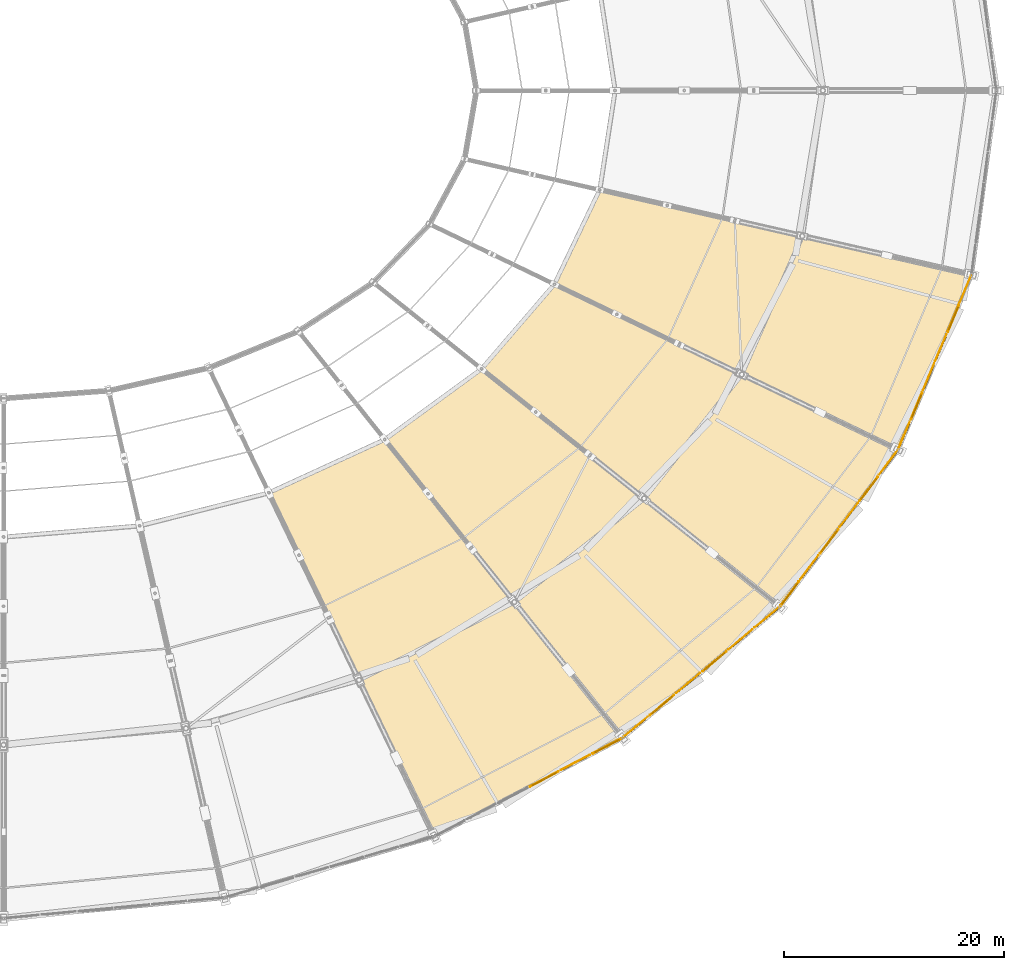
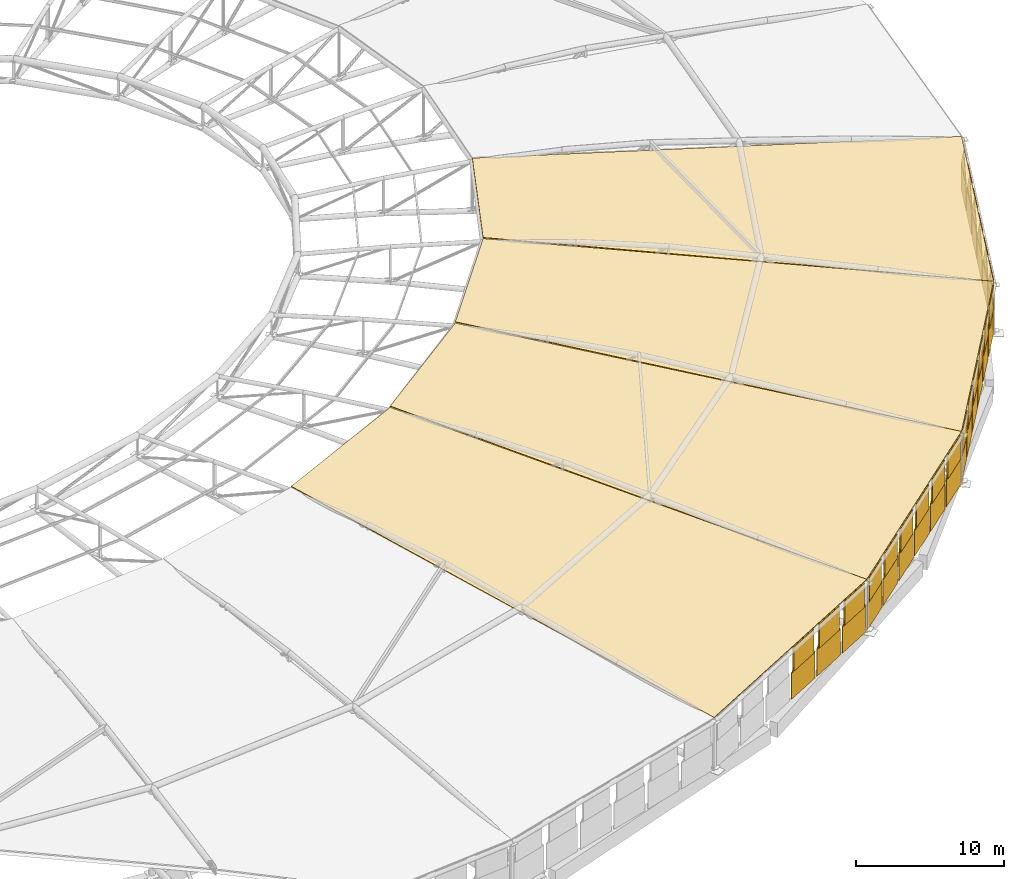
# One storey, part 104 of 108: 46 coverings, 20 shading devices.
"""IFC4 building model written with IfcOpenShell, lengths in metres."""

from ifc_helpers import new_model, si_unit, direction, frame, origin, origin_2d, place, context, subcontext, project, spatial, polyline, rectangle, outline, extrude, material, layer, layer_set, type_object, element, save


model = new_model("IFC4")

# Units and contexts
model_context = context("Model", 3, precision=1e-05, world=origin(), true_north=direction((0.0, 1.0)))
body_context = subcontext(model_context, "Body", "Model", "MODEL_VIEW")
ifc_project = project(units=[si_unit("LENGTHUNIT", "METRE"), si_unit("AREAUNIT", "SQUARE_METRE"), si_unit("VOLUMEUNIT", "CUBIC_METRE"), si_unit("PLANEANGLEUNIT", "RADIAN"), si_unit("MASSUNIT", "GRAM", prefix="KILO")], contexts=[model_context])

# Site, building, storey
site_placement = place(None, origin())
site = spatial("IfcSite", under=ifc_project, at=site_placement, CompositionType="ELEMENT")
building_placement = place(site_placement, origin())
building = spatial("IfcBuilding", under=site, at=building_placement, Name="Zevraka Park Crest Stadium", CompositionType="ELEMENT")
storey_placement = place(building_placement, frame((0.0, 0.0, 29.39990234375)))
storey = spatial("IfcBuildingStorey", under=building, at=storey_placement, Name="RF", CompositionType="ELEMENT", Elevation=29.39990234375)

# Coverings
ifc_material_1 = material(Name="Architectural golden-bronze perforated aluminium", Category="aluminium")
ifc_layer_1 = layer(ifc_material_1, 0.034912109375)
ifc_layer_set_1 = layer_set([ifc_layer_1], Name="Architectural golden-bronze perforated aluminium")
covering_type_1 = type_object("IfcCoveringType", Name="CLD01", PredefinedType="CLADDING", material=ifc_layer_set_1)
covering_1_placement = place(storey_placement, frame((159.85498046875, 28.701904296875, 0.0), z_axis=(0.464265532752, -0.885696062483, 0.0), x_axis=(0.885696062483, 0.464265532752, 0.0)))
element("IfcCovering", 1, at=covering_1_placement, inside=storey, type_object=covering_type_1, Name="Canopy Crown Perforated Bronze Fascia 24-4A", PredefinedType="CLADDING", context=body_context, shape_type="SweptSolid", body=[
    extrude(outline(polyline([(0.0, 0.0), (2.9637706558621093, 0.0), (2.9637706558621093, 2.2001953125), (0.0, 2.2001953125), (0.0, 0.0)])), origin(), (0.0, 0.0, -1.0), 0.044921875),
])
covering_2_placement = place(storey_placement, frame((159.85498046875, 28.701904296875, 2.2001953125), z_axis=(-0.464265529885, 0.885696057014, 0.000111134777), x_axis=(0.885696062483, 0.464265532752, 0.0)))
element("IfcCovering", 2, at=covering_2_placement, inside=storey, type_object=covering_type_1, Name="Canopy Crown Triangular Bronze Screen 24-4B", PredefinedType="CLADDING", context=body_context, shape_type="SweptSolid", body=[
    extrude(outline(polyline([(0.0, 0.0), (2.9637706558621093, 0.0), (1.482317796711564, -2.0397949344716912), (0.0, 0.0)])), origin(), (0.0, 0.0, -1.0), 0.044921875),
])
covering_3_placement = place(storey_placement, frame((162.7080078125, 30.197021484375, 0.0), z_axis=(0.464265532752, -0.885696062483, 0.0), x_axis=(0.885696062483, 0.464265532752, 0.0)))
element("IfcCovering", 3, at=covering_3_placement, inside=storey, type_object=covering_type_1, Name="Canopy Crown Perforated Bronze Fascia 24-5A", PredefinedType="CLADDING", context=body_context, shape_type="SweptSolid", body=[
    extrude(outline(polyline([(0.0, 0.0), (2.9637706558621093, 0.0), (2.9637706558621093, 2.2001953125), (0.0, 2.2001953125), (0.0, 0.0)])), origin(), (0.0, 0.0, -1.0), 0.044921875),
])
covering_4_placement = place(storey_placement, frame((162.7080078125, 30.197021484375, 2.2001953125), z_axis=(0.464265529885, -0.885696057014, 0.000111134777), x_axis=(0.885696062483, 0.464265532752, 0.0)))
element("IfcCovering", 4, at=covering_4_placement, inside=storey, type_object=covering_type_1, Name="Canopy Crown Triangular Bronze Screen 24-5B", PredefinedType="CLADDING", context=body_context, shape_type="SweptSolid", body=[
    extrude(outline(polyline([(0.0, 0.0), (2.9637706558621093, 0.0), (1.4814528591505454, 2.0397949344716912), (0.0, 0.0)])), origin(), (0.0, 0.0, -1.0), 0.044921875),
])
covering_5_placement = place(storey_placement, frame((165.56201171875, 31.693115234375, 0.0), z_axis=(0.464006994671, -0.88583153528, 0.0), x_axis=(0.88583153528, 0.464006994671, 0.0)))
element("IfcCovering", 5, at=covering_5_placement, inside=storey, type_object=covering_type_1, Name="Canopy Crown Perforated Bronze Fascia 24-6A", PredefinedType="CLADDING", context=body_context, shape_type="SweptSolid", body=[
    extrude(outline(polyline([(0.0, 0.0), (2.9633173977824248, 0.0), (2.9633173977824248, 2.2001953125), (0.0, 2.2001953125), (0.0, 0.0)])), origin(), (0.0, 0.0, -1.0), 0.044921875),
])
covering_6_placement = place(storey_placement, frame((165.56201171875, 31.693115234375, 2.2001953125), z_axis=(-0.464006984729, 0.885831516302, 0.000206999471), x_axis=(0.88583153528, 0.464006994671, 0.0)))
element("IfcCovering", 6, at=covering_6_placement, inside=storey, type_object=covering_type_1, Name="Canopy Crown Triangular Bronze Screen 24-6B", PredefinedType="CLADDING", context=body_context, shape_type="SweptSolid", body=[
    extrude(outline(polyline([(0.0, 0.0), (2.963317397782425, 0.0), (1.4808863150888267, -2.0397949655763647), (0.0, 0.0)])), origin(), (0.0, 0.0, -1.0), 0.044921875),
])
covering_7_placement = place(storey_placement, frame((168.39599609375, 33.20703125, 0.0), z_axis=(0.640445053294, -0.768003993291, 0.0), x_axis=(0.768003993291, 0.640445053294, 0.0)))
element("IfcCovering", 7, at=covering_7_placement, inside=storey, type_object=covering_type_1, Name="Canopy Crown Perforated Bronze Fascia 25-1A", PredefinedType="CLADDING", context=body_context, shape_type="SweptSolid", body=[
    extrude(outline(polyline([(0.0, 0.0), (2.855603946767651, 0.0), (2.855603946767651, 2.2001953125), (0.0, 2.2001953125), (0.0, 0.0)])), origin(), (0.0, 0.0, -1.0), 0.044921875),
])
covering_8_placement = place(storey_placement, frame((168.39599609375, 33.20703125, 2.2001953125), z_axis=(0.640444996419, -0.768003925088, 0.000421438935), x_axis=(0.768003993291, 0.640445053294, 0.0)))
element("IfcCovering", 8, at=covering_8_placement, inside=storey, type_object=covering_type_1, Name="Canopy Crown Triangular Bronze Screen 25-1B", PredefinedType="CLADDING", context=body_context, shape_type="SweptSolid", body=[
    extrude(outline(polyline([(0.0, 0.0), (2.855603946767651, 0.0), (1.4277241175854876, 2.0397951030198036), (0.0, 0.0)])), origin(), (0.0, 0.0, -1.0), 0.044921875),
])
covering_9_placement = place(storey_placement, frame((170.779052734375, 35.195068359375, 0.0), z_axis=(0.64028533532, -0.768137155315, 0.0), x_axis=(0.768137155315, 0.64028533532, 0.0)))
element("IfcCovering", 9, at=covering_9_placement, inside=storey, type_object=covering_type_1, Name="Canopy Crown Perforated Bronze Fascia 25-2A", PredefinedType="CLADDING", context=body_context, shape_type="SweptSolid", body=[
    extrude(outline(polyline([(0.0, 0.0), (2.8547910728937436, 0.0), (2.8547910728937436, 2.2001953125), (0.0, 2.2001953125), (0.0, 0.0)])), origin(), (0.0, 0.0, -1.0), 0.044921875),
])
covering_10_placement = place(storey_placement, frame((170.779052734375, 35.195068359375, 2.2001953125), z_axis=(-0.640285322611, 0.768137140069, 0.000199238685), x_axis=(0.768137155315, 0.64028533532, 0.0)))
element("IfcCovering", 10, at=covering_10_placement, inside=storey, type_object=covering_type_1, Name="Canopy Crown Triangular Bronze Screen 25-2B", PredefinedType="CLADDING", context=body_context, shape_type="SweptSolid", body=[
    extrude(outline(polyline([(0.0, 0.0), (2.8547910728937436, 5.421010862427522e-20), (1.4276924435862686, -2.0397949623609057), (0.0, 0.0)])), origin(), (0.0, 0.0, -1.0), 0.044921875),
])
covering_11_placement = place(storey_placement, frame((173.162109375, 37.181884765625, 0.0), z_axis=(0.640335790713, -0.76809509511, 0.0), x_axis=(0.76809509511, 0.640335790713, 0.0)))
element("IfcCovering", 11, at=covering_11_placement, inside=storey, type_object=covering_type_1, Name="Canopy Crown Perforated Bronze Fascia 25-3A", PredefinedType="CLADDING", context=body_context, shape_type="SweptSolid", body=[
    extrude(outline(polyline([(0.0, 0.0), (2.8549473987149607, 0.0), (2.8549473987149607, 2.2001953125), (0.0, 2.2001953125), (0.0, 0.0)])), origin(), (0.0, 0.0, -1.0), 0.044921875),
])
covering_12_placement = place(storey_placement, frame((173.162109375, 37.181884765625, 2.2001953125), z_axis=(0.64033578319, -0.768095086087, 0.000153282055), x_axis=(0.76809509511, 0.640335790713, 0.0)))
element("IfcCovering", 12, at=covering_12_placement, inside=storey, type_object=covering_type_1, Name="Canopy Crown Triangular Bronze Screen 25-3B", PredefinedType="CLADDING", context=body_context, shape_type="SweptSolid", body=[
    extrude(outline(polyline([(0.0, 0.0), (2.8549473987149607, 2.710505431213761e-20), (1.4270986529243213, 2.0397949458378877), (0.0, 0.0)])), origin(), (0.0, 0.0, -1.0), 0.044921875),
])
covering_13_placement = place(storey_placement, frame((175.544921875, 39.1689453125, 0.0), z_axis=(0.640293732957, -0.768130155336, 0.0), x_axis=(0.768130155336, 0.640293732957, 0.0)))
element("IfcCovering", 13, at=covering_13_placement, inside=storey, type_object=covering_type_1, Name="Canopy Crown Perforated Bronze Fascia 25-4A", PredefinedType="CLADDING", context=body_context, shape_type="SweptSolid", body=[
    extrude(outline(polyline([(0.0, 0.0), (2.855134926211494, 0.0), (2.855134926211494, 2.2001953125), (0.0, 2.2001953125), (0.0, 0.0)])), origin(), (0.0, 0.0, -1.0), 0.044921875),
])
covering_14_placement = place(storey_placement, frame((175.544921875, 39.1689453125, 2.2001953125), z_axis=(-0.640293721206, 0.768130141238, 0.000191589982), x_axis=(0.768130155336, 0.640293732957, 0.0)))
element("IfcCovering", 14, at=covering_14_placement, inside=storey, type_object=covering_type_1, Name="Canopy Crown Triangular Bronze Screen 25-4B", PredefinedType="CLADDING", context=body_context, shape_type="SweptSolid", body=[
    extrude(outline(polyline([(0.0, 0.0), (2.855134926211494, -5.421010862427522e-20), (1.4280362925462593, -2.0397949593120925), (0.0, 0.0)])), origin(), (0.0, 0.0, -1.0), 0.044921875),
])
covering_15_placement = place(storey_placement, frame((177.927978515625, 41.156005859375, 0.0), z_axis=(0.640243276272, -0.768172211934, 0.0), x_axis=(0.768172211934, 0.640243276272, 0.0)))
element("IfcCovering", 15, at=covering_15_placement, inside=storey, type_object=covering_type_1, Name="Canopy Crown Perforated Bronze Fascia 25-5A", PredefinedType="CLADDING", context=body_context, shape_type="SweptSolid", body=[
    extrude(outline(polyline([(0.0, 0.0), (2.8549786106584403, 0.0), (2.8549786106584403, 2.2001953125), (0.0, 2.2001953125), (0.0, 0.0)])), origin(), (0.0, 0.0, -1.0), 0.044921875),
])
covering_16_placement = place(storey_placement, frame((177.927978515625, 41.156005859375, 2.2001953125), z_axis=(0.640243258208, -0.768172190261, 0.00023754569), x_axis=(0.768172211934, 0.640243276272, 0.0)))
element("IfcCovering", 16, at=covering_16_placement, inside=storey, type_object=covering_type_1, Name="Canopy Crown Triangular Bronze Screen 25-5B", PredefinedType="CLADDING", context=body_context, shape_type="SweptSolid", body=[
    extrude(outline(polyline([(0.0, 0.0), (2.8549786106584403, 0.0), (1.4270986049162075, 2.03979497942573), (0.0, 0.0)])), origin(), (0.0, 0.0, -1.0), 0.044921875),
])
covering_17_placement = place(storey_placement, frame((180.31103515625, 43.14306640625, 0.0), z_axis=(0.640487107171, -0.767968922254, 0.0), x_axis=(0.767968922254, 0.640487107171, 0.0)))
element("IfcCovering", 17, at=covering_17_placement, inside=storey, type_object=covering_type_1, Name="Canopy Crown Perforated Bronze Fascia 25-6A", PredefinedType="CLADDING", context=body_context, shape_type="SweptSolid", body=[
    extrude(outline(polyline([(0.0, 0.0), (2.8554164500737182, 0.0), (2.8554164500737182, 2.2001953125), (0.0, 2.2001953125), (0.0, 0.0)])), origin(), (0.0, 0.0, -1.0), 0.044921875),
])
covering_18_placement = place(storey_placement, frame((180.31103515625, 43.14306640625, 2.2001953125), z_axis=(0.640487105298, -0.767968920008, 7.6474936e-05), x_axis=(0.767968922254, 0.640487107171, 0.0)))
element("IfcCovering", 18, at=covering_18_placement, inside=storey, type_object=covering_type_1, Name="Canopy Crown Triangular Bronze Screen 25-6B", PredefinedType="CLADDING", context=body_context, shape_type="SweptSolid", body=[
    extrude(outline(polyline([(0.0, 0.0), (2.8554164500737182, -1.3552527156068805e-20), (1.4284741321688013, 2.039794927839785), (0.0, 0.0)])), origin(), (0.0, 0.0, -1.0), 0.044921875),
])
covering_19_placement = place(storey_placement, frame((182.6708984375, 45.14599609375, 0.0), z_axis=(0.798693974654, -0.601737430157, 0.0), x_axis=(0.601737430157, 0.798693974654, 0.0)))
element("IfcCovering", 19, at=covering_19_placement, inside=storey, type_object=covering_type_1, Name="Canopy Crown Perforated Bronze Fascia 26-1A", PredefinedType="CLADDING", context=body_context, shape_type="SweptSolid", body=[
    extrude(outline(polyline([(0.0, 0.0), (2.7406803021130823, 0.0), (2.7406803021130823, 2.2001953125), (0.0, 2.2001953125), (0.0, 0.0)])), origin(), (0.0, 0.0, -1.0), 0.044921875),
])
covering_20_placement = place(storey_placement, frame((182.6708984375, 45.14599609375, 2.2001953125), z_axis=(-0.798693916065, 0.601737386016, 0.000383029271), x_axis=(0.601737430157, 0.798693974654, 0.0)))
element("IfcCovering", 20, at=covering_20_placement, inside=storey, type_object=covering_type_1, Name="Canopy Crown Triangular Bronze Screen 26-1B", PredefinedType="CLADDING", context=body_context, shape_type="SweptSolid", body=[
    extrude(outline(polyline([(0.0, 0.0), (2.7406803021130823, 0.0), (1.3703174351449408, -2.0397950715056243), (0.0, 0.0)])), origin(), (0.0, 0.0, -1.0), 0.044921875),
])
covering_21_placement = place(storey_placement, frame((184.464111328125, 47.52587890625, 0.0), z_axis=(0.798769034378, -0.601637789471, 0.0), x_axis=(0.601637789471, 0.798769034378, 0.0)))
element("IfcCovering", 21, at=covering_21_placement, inside=storey, type_object=covering_type_1, Name="Canopy Crown Perforated Bronze Fascia 26-2A", PredefinedType="CLADDING", context=body_context, shape_type="SweptSolid", body=[
    extrude(outline(polyline([(0.0, 0.0), (2.740728408532874, 0.0), (2.740728408532874, 2.2001953125), (0.0, 2.2001953125), (0.0, 0.0)])), origin(), (0.0, 0.0, -1.0), 0.044921875),
])
covering_22_placement = place(storey_placement, frame((184.464111328125, 47.52587890625, 2.2001953125), z_axis=(0.798768979338, -0.601637748014, 0.00037123068), x_axis=(0.601637789471, 0.798769034378, 0.0)))
element("IfcCovering", 22, at=covering_22_placement, inside=storey, type_object=covering_type_1, Name="Canopy Crown Triangular Bronze Screen 26-2B", PredefinedType="CLADDING", context=body_context, shape_type="SweptSolid", body=[
    extrude(outline(polyline([(0.0, 0.0), (2.740728408532874, -1.0842021724855044e-19), (1.3705579657427558, 2.039795062429345), (0.0, 0.0)])), origin(), (0.0, 0.0, -1.0), 0.044921875),
])
covering_23_placement = place(storey_placement, frame((186.257080078125, 49.906005859375, 0.0), z_axis=(0.798736787281, -0.601680600189, 0.0), x_axis=(0.601680600189, 0.798736787281, 0.0)))
element("IfcCovering", 23, at=covering_23_placement, inside=storey, type_object=covering_type_1, Name="Canopy Crown Perforated Bronze Fascia 26-3A", PredefinedType="CLADDING", context=body_context, shape_type="SweptSolid", body=[
    extrude(outline(polyline([(0.0, 0.0), (2.7405334004978643, 0.0), (2.7405334004978643, 2.2001953125), (0.0, 2.2001953125), (0.0, 0.0)])), origin(), (0.0, 0.0, -1.0), 0.044921875),
])
covering_24_placement = place(storey_placement, frame((186.257080078125, 49.906005859375, 2.2001953125), z_axis=(-0.798736742401, 0.601680566381, 0.00033522856), x_axis=(0.601680600189, 0.798736787281, 0.0)))
element("IfcCovering", 24, at=covering_24_placement, inside=storey, type_object=covering_type_1, Name="Canopy Crown Triangular Bronze Screen 26-3B", PredefinedType="CLADDING", context=body_context, shape_type="SweptSolid", body=[
    extrude(outline(polyline([(0.0, 0.0), (2.7405334004978643, -1.0842021724855044e-19), (1.3701704814075786, -2.0397950364892377), (0.0, 0.0)])), origin(), (0.0, 0.0, -1.0), 0.044921875),
])
covering_25_placement = place(storey_placement, frame((188.050048828125, 52.284912109375, 0.0), z_axis=(0.798769034378, -0.601637789471, 0.0), x_axis=(0.601637789471, 0.798769034378, 0.0)))
element("IfcCovering", 25, at=covering_25_placement, inside=storey, type_object=covering_type_1, Name="Canopy Crown Perforated Bronze Fascia 26-4A", PredefinedType="CLADDING", context=body_context, shape_type="SweptSolid", body=[
    extrude(outline(polyline([(0.0, 0.0), (2.740728408532874, 0.0), (2.740728408532874, 2.2001953125), (0.0, 2.2001953125), (0.0, 0.0)])), origin(), (0.0, 0.0, -1.0), 0.044921875),
])
covering_26_placement = place(storey_placement, frame((188.050048828125, 52.284912109375, 2.2001953125), z_axis=(0.798769034328, -0.601637789433, 1.1184153e-05), x_axis=(0.601637789471, 0.798769034378, 0.0)))
element("IfcCovering", 26, at=covering_26_placement, inside=storey, type_object=covering_type_1, Name="Canopy Crown Triangular Bronze Screen 26-4B", PredefinedType="CLADDING", context=body_context, shape_type="SweptSolid", body=[
    extrude(outline(polyline([(0.0, 0.0), (2.740728408532874, -1.6940658945086007e-21), (1.369582905886338, 2.0397949220025744), (0.0, 0.0)])), origin(), (0.0, 0.0, -1.0), 0.044921875),
])
covering_27_placement = place(storey_placement, frame((189.843017578125, 54.6650390625, 0.0), z_axis=(0.798736787281, -0.601680600189, 0.0), x_axis=(0.601680600189, 0.798736787281, 0.0)))
element("IfcCovering", 27, at=covering_27_placement, inside=storey, type_object=covering_type_1, Name="Canopy Crown Perforated Bronze Fascia 26-5A", PredefinedType="CLADDING", context=body_context, shape_type="SweptSolid", body=[
    extrude(outline(polyline([(0.0, 0.0), (2.7405334004978643, 0.0), (2.7405334004978643, 2.2001953125), (0.0, 2.2001953125), (0.0, 0.0)])), origin(), (0.0, 0.0, -1.0), 0.044921875),
])
covering_28_placement = place(storey_placement, frame((189.843017578125, 54.6650390625, 2.2001953125), z_axis=(-0.798736786392, 0.60168059952, 4.7170841e-05), x_axis=(0.601680600189, 0.798736787281, 0.0)))
element("IfcCovering", 28, at=covering_28_placement, inside=storey, type_object=covering_type_1, Name="Canopy Crown Triangular Bronze Screen 26-5B", PredefinedType="CLADDING", context=body_context, shape_type="SweptSolid", body=[
    extrude(outline(polyline([(0.0, 0.0), (2.740533400497864, -1.3552527156068805e-20), (1.3709504978014075, -2.039794924144362), (0.0, 0.0)])), origin(), (0.0, 0.0, -1.0), 0.044921875),
])
covering_29_placement = place(storey_placement, frame((191.635986328125, 57.044921875, 0.0), z_axis=(0.798736787281, -0.601680600189, 0.0), x_axis=(0.601680600189, 0.798736787281, 0.0)))
element("IfcCovering", 29, at=covering_29_placement, inside=storey, type_object=covering_type_1, Name="Canopy Crown Perforated Bronze Fascia 26-6A", PredefinedType="CLADDING", context=body_context, shape_type="SweptSolid", body=[
    extrude(outline(polyline([(0.0, 0.0), (2.7405334004978643, 0.0), (2.7405334004978643, 2.2001953125), (0.0, 2.2001953125), (0.0, 0.0)])), origin(), (0.0, 0.0, -1.0), 0.044921875),
])
covering_30_placement = place(storey_placement, frame((191.635986328125, 57.044921875, 2.2001953125), z_axis=(0.798736742401, -0.601680566381, 0.00033522856), x_axis=(0.601680600189, 0.798736787281, 0.0)))
element("IfcCovering", 30, at=covering_30_placement, inside=storey, type_object=covering_type_1, Name="Canopy Crown Triangular Bronze Screen 26-6B", PredefinedType="CLADDING", context=body_context, shape_type="SweptSolid", body=[
    extrude(outline(polyline([(0.0, 0.0), (2.7405334004978643, -1.0842021724855044e-19), (1.3703629190902855, 2.0397950364892377), (0.0, 0.0)])), origin(), (0.0, 0.0, -1.0), 0.044921875),
])
covering_31_placement = place(storey_placement, frame((193.402099609375, 59.43505859375, 0.0), z_axis=(0.922096698468, -0.386959531056, 0.0), x_axis=(0.386959531056, 0.922096698468, 0.0)))
element("IfcCovering", 31, at=covering_31_placement, inside=storey, type_object=covering_type_1, Name="Canopy Crown Perforated Bronze Fascia 27-1A", PredefinedType="CLADDING", context=body_context, shape_type="SweptSolid", body=[
    extrude(outline(polyline([(0.0, 0.0), (2.6460797553062623, 0.0), (2.6460797553062623, 2.2001953125), (0.0, 2.2001953125), (0.0, 0.0)])), origin(), (0.0, 0.0, -1.0), 0.044921875),
])
covering_32_placement = place(storey_placement, frame((193.402099609375, 59.43505859375, 2.2001953125), z_axis=(0.922096698468, -0.386959531056, 0.0), x_axis=(0.386959531056, 0.922096698468, 0.0)))
element("IfcCovering", 32, at=covering_32_placement, inside=storey, type_object=covering_type_1, Name="Canopy Crown Triangular Bronze Screen 27-1B", PredefinedType="CLADDING", context=body_context, shape_type="SweptSolid", body=[
    extrude(outline(polyline([(0.0, 0.0), (2.6460797553062623, 0.0), (1.3230398776531311, 2.0397949218750004), (0.0, 0.0)])), origin(), (0.0, 0.0, -1.0), 0.044921875),
])
covering_33_placement = place(storey_placement, frame((194.514892578125, 62.087890625, 0.0), z_axis=(0.922077593739, -0.3870050531, 0.0), x_axis=(0.3870050531, 0.922077593739, 0.0)))
element("IfcCovering", 33, at=covering_33_placement, inside=storey, type_object=covering_type_1, Name="Canopy Crown Perforated Bronze Fascia 27-2A", PredefinedType="CLADDING", context=body_context, shape_type="SweptSolid", body=[
    extrude(outline(polyline([(0.0, 0.0), (2.6463993523372635, 0.0), (2.6463993523372635, 2.2001953125), (0.0, 2.2001953125), (0.0, 0.0)])), origin(), (0.0, 0.0, -1.0), 0.044921875),
])
covering_34_placement = place(storey_placement, frame((194.514892578125, 62.087890625, 2.2001953125), z_axis=(-0.922077593266, 0.387005052902, 3.2021098e-05), x_axis=(0.3870050531, 0.922077593739, 0.0)))
element("IfcCovering", 34, at=covering_34_placement, inside=storey, type_object=covering_type_1, Name="Canopy Crown Triangular Bronze Screen 27-2B", PredefinedType="CLADDING", context=body_context, shape_type="SweptSolid", body=[
    extrude(outline(polyline([(0.0, 0.0), (2.6463993523372635, -3.3881317890172014e-21), (1.3233594762964196, -2.039794922920753), (0.0, 0.0)])), origin(), (0.0, 0.0, -1.0), 0.044921875),
])
covering_35_placement = place(storey_placement, frame((195.6279296875, 64.739990234375, 0.0), z_axis=(0.922063774842, -0.387037976332, 0.0), x_axis=(0.387037976332, 0.922063774842, 0.0)))
element("IfcCovering", 35, at=covering_35_placement, inside=storey, type_object=covering_type_1, Name="Canopy Crown Perforated Bronze Fascia 27-3A", PredefinedType="CLADDING", context=body_context, shape_type="SweptSolid", body=[
    extrude(outline(polyline([(0.0, 0.0), (2.646174237424035, 0.0), (2.646174237424035, 2.2001953125), (0.0, 2.2001953125), (0.0, 0.0)])), origin(), (0.0, 0.0, -1.0), 0.044921875),
])
covering_36_placement = place(storey_placement, frame((195.6279296875, 64.739990234375, 2.2001953125), z_axis=(0.922063773439, -0.387037975743, 5.5180357e-05), x_axis=(0.387037976332, 0.922063774842, 0.0)))
element("IfcCovering", 36, at=covering_36_placement, inside=storey, type_object=covering_type_1, Name="Canopy Crown Triangular Bronze Screen 27-3B", PredefinedType="CLADDING", context=body_context, shape_type="SweptSolid", body=[
    extrude(outline(polyline([(0.0, 0.0), (2.646174237424035, 0.0), (1.3230398728652972, 2.039794924980457), (0.0, 0.0)])), origin(), (0.0, 0.0, -1.0), 0.044921875),
])
covering_37_placement = place(storey_placement, frame((196.740966796875, 67.39306640625, 0.0), z_axis=(0.922096698468, -0.386959531056, 0.0), x_axis=(0.386959531056, 0.922096698468, 0.0)))
element("IfcCovering", 37, at=covering_37_placement, inside=storey, type_object=covering_type_1, Name="Canopy Crown Perforated Bronze Fascia 27-4A", PredefinedType="CLADDING", context=body_context, shape_type="SweptSolid", body=[
    extrude(outline(polyline([(0.0, 0.0), (2.6460797553062623, 0.0), (2.6460797553062623, 2.2001953125), (0.0, 2.2001953125), (0.0, 0.0)])), origin(), (0.0, 0.0, -1.0), 0.044921875),
])
covering_38_placement = place(storey_placement, frame((196.740966796875, 67.39306640625, 2.2001953125), z_axis=(0.922096698468, -0.386959531056, 0.0), x_axis=(0.386959531056, 0.922096698468, 0.0)))
element("IfcCovering", 38, at=covering_38_placement, inside=storey, type_object=covering_type_1, Name="Canopy Crown Triangular Bronze Screen 27-4B", PredefinedType="CLADDING", context=body_context, shape_type="SweptSolid", body=[
    extrude(outline(polyline([(0.0, 0.0), (2.6460797553062623, 0.0), (1.3230398776531311, 2.0397949218750004), (0.0, 0.0)])), origin(), (0.0, 0.0, -1.0), 0.044921875),
])
covering_39_placement = place(storey_placement, frame((197.85400390625, 70.044921875, 0.0), z_axis=(0.922110512256, -0.386926612146, 0.0), x_axis=(0.386926612146, 0.922110512256, 0.0)))
element("IfcCovering", 39, at=covering_39_placement, inside=storey, type_object=covering_type_1, Name="Canopy Crown Perforated Bronze Fascia 27-5A", PredefinedType="CLADDING", context=body_context, shape_type="SweptSolid", body=[
    extrude(outline(polyline([(0.0, 0.0), (2.6463048782568626, 0.0), (2.6463048782568626, 2.2001953125), (0.0, 2.2001953125), (0.0, 0.0)])), origin(), (0.0, 0.0, -1.0), 0.044921875),
])
covering_40_placement = place(storey_placement, frame((197.85400390625, 70.044921875, 2.2001953125), z_axis=(-0.922110512009, 0.386926612043, 2.3155393e-05), x_axis=(0.386926612146, 0.922110512256, 0.0)))
element("IfcCovering", 40, at=covering_40_placement, inside=storey, type_object=covering_type_1, Name="Canopy Crown Triangular Bronze Screen 27-5B", PredefinedType="CLADDING", context=body_context, shape_type="SweptSolid", body=[
    extrude(outline(polyline([(0.0, 0.0), (2.6463048782568626, 3.3881317890172014e-21), (1.3230398768100406, -2.039794922421841), (0.0, 0.0)])), origin(), (0.0, 0.0, -1.0), 0.044921875),
])
covering_41_placement = place(storey_placement, frame((198.967041015625, 72.697998046875, 0.0), z_axis=(0.922096698468, -0.386959531056, 0.0), x_axis=(0.386959531056, 0.922096698468, 0.0)))
element("IfcCovering", 41, at=covering_41_placement, inside=storey, type_object=covering_type_1, Name="Canopy Crown Perforated Bronze Fascia 27-6A", PredefinedType="CLADDING", context=body_context, shape_type="SweptSolid", body=[
    extrude(outline(polyline([(0.0, 0.0), (2.6460797553062623, 0.0), (2.6460797553062623, 2.2001953125), (0.0, 2.2001953125), (0.0, 0.0)])), origin(), (0.0, 0.0, -1.0), 0.044921875),
])
covering_42_placement = place(storey_placement, frame((198.967041015625, 72.697998046875, 2.2001953125), z_axis=(0.922096698468, -0.386959531056, 0.0), x_axis=(0.386959531056, 0.922096698468, 0.0)))
element("IfcCovering", 42, at=covering_42_placement, inside=storey, type_object=covering_type_1, Name="Canopy Crown Triangular Bronze Screen 27-6B", PredefinedType="CLADDING", context=body_context, shape_type="SweptSolid", body=[
    extrude(outline(polyline([(0.0, 0.0), (2.6460797553062623, 0.0), (1.3230398776531311, 2.0397949218750004), (0.0, 0.0)])), origin(), (0.0, 0.0, -1.0), 0.044921875),
])

# Shading devices
ifc_material_2 = material(Name="Terracotta and bronze acoustic ventilation louvre", Category="masonry")
ifc_layer_2 = layer(ifc_material_2, 0.080078125)
ifc_layer_set_2 = layer_set([ifc_layer_2], Name="Terracotta and bronze acoustic ventilation louvre")
shading_device_type = type_object("IfcShadingDeviceType", Name="LVR01", PredefinedType="USERDEFINED", material=ifc_layer_set_2)
for number, where, z_axis, x_axis, name in (
    (43, (161.16796875, 29.389892578125, 2.22021484375), (0.0, 0.0, 1.0), (0.88579893978, 0.464069217127, 0.0), "Canopy Crown Acoustic Wind Louvre 24-4"),
    (44, (164.02001953125, 30.885009765625, 2.22021484375), (0.0, 0.0, 1.0), (0.88579893978, 0.464069217127, 0.0), "Canopy Crown Acoustic Wind Louvre 24-5"),
    (45, (166.8740234375, 32.3798828125, 2.22021484375), (0.0, 0.0, 1.0), (0.88579893978, 0.464069217127, 0.0), "Canopy Crown Acoustic Wind Louvre 24-6"),
):
    element("IfcShadingDevice", number, at=place(storey_placement, frame(where, z_axis=z_axis, x_axis=x_axis)), inside=storey, type_object=shading_device_type, Name=name, ObjectType="LOUVRE", PredefinedType="USERDEFINED", context=body_context, shape_type="SweptSolid", body=[
        extrude(rectangle(XDim=2.51904296875, YDim=0.1201171875, at=origin_2d()), origin(), (0.0, 0.0, 1.0), 2.0),
    ])
for number, where, z_axis, x_axis, name in (
    (46, (169.491943359375, 34.1220703125, 2.22021484375), (0.0, 0.0, 1.0), (0.768060036355, 0.640377842023, 0.0), "Canopy Crown Acoustic Wind Louvre 25-1"),
    (47, (171.8759765625, 36.10888671875, 2.22021484375), (0.0, 0.0, 1.0), (0.768060036355, 0.640377842023, 0.0), "Canopy Crown Acoustic Wind Louvre 25-2"),
    (48, (174.258056640625, 38.095947265625, 2.22021484375), (0.0, 0.0, 1.0), (0.768060036355, 0.640377842023, 0.0), "Canopy Crown Acoustic Wind Louvre 25-3"),
    (49, (176.64208984375, 40.0830078125, 2.22021484375), (0.0, 0.0, 1.0), (0.768060036355, 0.640377842023, 0.0), "Canopy Crown Acoustic Wind Louvre 25-4"),
    (50, (179.02392578125, 42.070068359375, 2.22021484375), (0.0, 0.0, 1.0), (0.768060036355, 0.640377842023, 0.0), "Canopy Crown Acoustic Wind Louvre 25-5"),
    (51, (181.407958984375, 44.05810546875, 2.22021484375), (0.0, 0.0, 1.0), (0.768060036355, 0.640377842023, 0.0), "Canopy Crown Acoustic Wind Louvre 25-6"),
):
    element("IfcShadingDevice", number, at=place(storey_placement, frame(where, z_axis=z_axis, x_axis=x_axis)), inside=storey, type_object=shading_device_type, Name=name, ObjectType="LOUVRE", PredefinedType="USERDEFINED", context=body_context, shape_type="SweptSolid", body=[
        extrude(rectangle(XDim=2.426025390625, YDim=0.1201171875, at=origin_2d()), origin(), (0.0, 0.0, 1.0), 2.0),
    ])
for number, where, z_axis, x_axis, name in (
    (52, (183.49609375, 46.239990234375, 2.22021484375), (0.0, 0.0, 1.0), (0.601815023152, 0.798635510047, 0.0), "Canopy Crown Acoustic Wind Louvre 26-1"),
    (53, (185.2880859375, 48.62109375, 2.22021484375), (0.0, 0.0, 1.0), (0.601815023152, 0.798635510047, 0.0), "Canopy Crown Acoustic Wind Louvre 26-2"),
    (54, (187.08203125, 51.0, 2.22021484375), (0.0, 0.0, 1.0), (0.601815023152, 0.798635510047, 0.0), "Canopy Crown Acoustic Wind Louvre 26-3"),
    (55, (188.8740234375, 53.37890625, 2.22021484375), (0.0, 0.0, 1.0), (0.601815023152, 0.798635510047, 0.0), "Canopy Crown Acoustic Wind Louvre 26-4"),
    (56, (190.66796875, 55.760009765625, 2.22021484375), (0.0, 0.0, 1.0), (0.601815023152, 0.798635510047, 0.0), "Canopy Crown Acoustic Wind Louvre 26-5"),
    (57, (192.4599609375, 58.139892578125, 2.22021484375), (0.0, 0.0, 1.0), (0.601815023152, 0.798635510047, 0.0), "Canopy Crown Acoustic Wind Louvre 26-6"),
):
    element("IfcShadingDevice", number, at=place(storey_placement, frame(where, z_axis=z_axis, x_axis=x_axis)), inside=storey, type_object=shading_device_type, Name=name, ObjectType="LOUVRE", PredefinedType="USERDEFINED", context=body_context, shape_type="SweptSolid", body=[
        extrude(rectangle(XDim=2.330078125, YDim=0.1201171875, at=origin_2d()), origin(), (0.0, 0.0, 1.0), 2.0),
    ])
for number, where, z_axis, x_axis, name in (
    (58, (193.9140625, 60.655029296875, 2.22021484375), (0.0, 0.0, 1.0), (0.387032846937, 0.922065927899, 0.0), "Canopy Crown Acoustic Wind Louvre 27-1"),
    (59, (195.027099609375, 63.30810546875, 2.22021484375), (0.0, 0.0, 1.0), (0.387032846937, 0.922065927899, 0.0), "Canopy Crown Acoustic Wind Louvre 27-2"),
    (60, (196.139892578125, 65.9599609375, 2.22021484375), (0.0, 0.0, 1.0), (0.387032846937, 0.922065927899, 0.0), "Canopy Crown Acoustic Wind Louvre 27-3"),
    (61, (197.2529296875, 68.613037109375, 2.22021484375), (0.0, 0.0, 1.0), (0.387032846937, 0.922065927899, 0.0), "Canopy Crown Acoustic Wind Louvre 27-4"),
    (62, (198.365966796875, 71.264892578125, 2.22021484375), (0.0, 0.0, 1.0), (0.387032846937, 0.922065927899, 0.0), "Canopy Crown Acoustic Wind Louvre 27-5"),
):
    element("IfcShadingDevice", number, at=place(storey_placement, frame(where, z_axis=z_axis, x_axis=x_axis)), inside=storey, type_object=shading_device_type, Name=name, ObjectType="LOUVRE", PredefinedType="USERDEFINED", context=body_context, shape_type="SweptSolid", body=[
        extrude(rectangle(XDim=2.25, YDim=0.1201171875, at=origin_2d()), origin(), (0.0, 0.0, 1.0), 2.0),
    ])

# Coverings
ifc_material_3 = material(Name="Insulated standing-seam acoustic aluminium roofing", Category="aluminium")
ifc_layer_3 = layer(ifc_material_3, 0.06005859375)
ifc_layer_set_3 = layer_set([ifc_layer_3], Name="Insulated standing-seam acoustic aluminium roofing")
covering_type_2 = type_object("IfcCoveringType", Name="RCV01", PredefinedType="ROOFING", material=ifc_layer_set_3)
covering_43_placement = place(storey_placement, frame((151.179931640625, 24.156982421875, 4.300048828125), z_axis=(0.072021192578, -0.137457369919, 0.987885833118), x_axis=(0.885773090192, 0.464118554561, 2.107057e-06)))
element("IfcCovering", 63, at=covering_43_placement, inside=storey, type_object=covering_type_2, Name="Canopy Acoustic Standing-Seam Roofing OUTER-24", PredefinedType="ROOFING", context=body_context, shape_type="SweptSolid", body=[
    extrude(outline(polyline([(0.0, 0.0), (19.328987196364277, -8.881784197001252e-16), (12.756884324081861, 34.49017194530255), (1.1740566551036096, 35.10573215366615), (0.0, 0.0)])), origin(), (0.0, 0.0, -1.0), 0.06005859375),
])
covering_44_placement = place(storey_placement, frame((168.301025390625, 33.1279296875, 4.300048828125), z_axis=(0.099486559587, -0.119302637189, 0.987860974642), x_axis=(0.768009420077, 0.640438545587, -6.14953e-07)))
element("IfcCovering", 64, at=covering_44_placement, inside=storey, type_object=covering_type_2, Name="Canopy Acoustic Standing-Seam Roofing OUTER-25", PredefinedType="ROOFING", context=body_context, shape_type="SweptSolid", body=[
    extrude(outline(polyline([(0.0, 0.0), (18.61708226015734, 0.0), (11.637530102621575, 34.408124214685195), (0.7592843892196728, 35.11839210854258), (0.0, 0.0)])), origin(), (0.0, 0.0, -1.0), 0.06005859375),
])
covering_45_placement = place(storey_placement, frame((182.59912109375, 45.051025390625, 4.300048828125), z_axis=(0.124003879913, -0.093437799611, 0.987872671639), x_axis=(0.601762579493, 0.79867502646, 5.610473e-06)))
element("IfcCovering", 65, at=covering_45_placement, inside=storey, type_object=covering_type_2, Name="Canopy Acoustic Standing-Seam Roofing OUTER-26", PredefinedType="ROOFING", context=body_context, shape_type="SweptSolid", body=[
    extrude(outline(polyline([(0.0, 0.0), (17.877191864068372, 0.0), (11.0883527096382, 34.4461793855873), (0.9540650648931299, 35.112317023755686), (0.0, 0.0)])), origin(), (0.0, 0.0, -1.0), 0.06005859375),
])
covering_46_placement = place(storey_placement, frame((193.35693359375, 59.3291015625, 4.300048828125), z_axis=(0.142925763867, -0.059976486424, 0.98791449382), x_axis=(0.386972793874, 0.922091132578, -4.652088e-06)))
element("IfcCovering", 66, at=covering_46_placement, inside=storey, type_object=covering_type_2, Name="Canopy Acoustic Standing-Seam Roofing OUTER-27", PredefinedType="ROOFING", context=body_context, shape_type="SweptSolid", body=[
    extrude(outline(polyline([(0.0, 0.0), (17.259465181005595, 8.881784197001252e-16), (11.288757466728136, 34.600612161760345), (1.7840866490528575, 35.07706488869247), (0.0, 0.0)])), origin(), (0.0, 0.0, -1.0), 0.06005859375),
])

save(model, "model.ifc")
